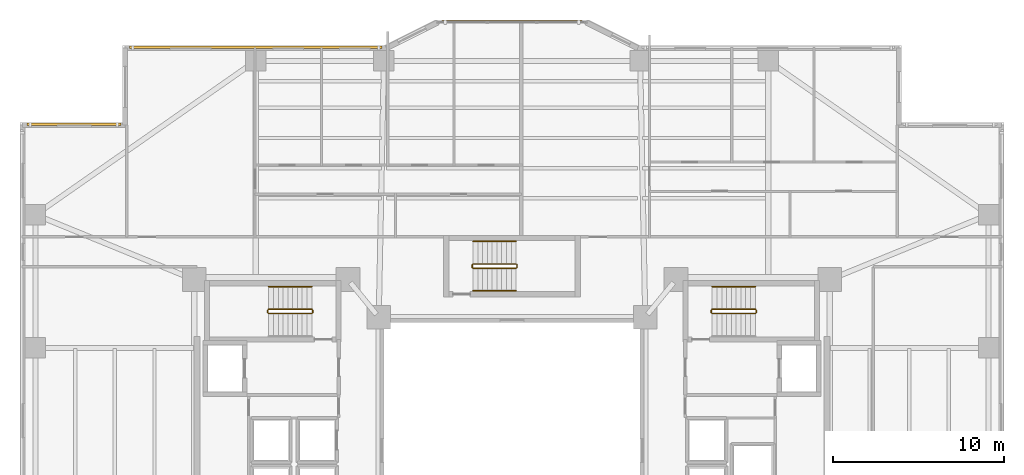
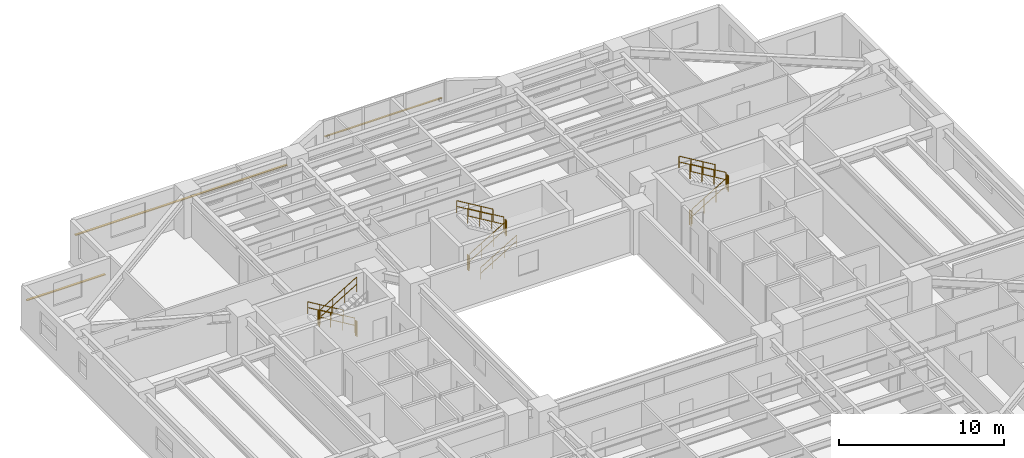
# One storey, part 19 of 20: 16 railings, 3 shading devices.
"""IFC4 building model written with IfcOpenShell, lengths in metres."""

from ifc_helpers import new_model, si_unit, direction, frame, origin, origin_2d, place, context, subcontext, project, spatial, rectangle, circle, extrude, material, material_profile, profile_set, type_object, element, save


model = new_model("IFC4")

# Units and contexts
model_context = context("Model", 3, precision=1e-05, world=origin(), true_north=direction((0.0, 1.0)))
body_context = subcontext(model_context, "Body", "Model", "MODEL_VIEW")
ifc_project = project(units=[si_unit("LENGTHUNIT", "METRE"), si_unit("AREAUNIT", "SQUARE_METRE"), si_unit("VOLUMEUNIT", "CUBIC_METRE"), si_unit("PLANEANGLEUNIT", "RADIAN"), si_unit("MASSUNIT", "GRAM", prefix="KILO")], contexts=[model_context])

# Site, building, storey
site_placement = place(None, origin())
site = spatial("IfcSite", under=ifc_project, at=site_placement, CompositionType="ELEMENT")
building_placement = place(site_placement, origin())
building = spatial("IfcBuilding", under=site, at=building_placement, Name="Tarnavaz Court Tower", CompositionType="ELEMENT")
storey_placement = place(building_placement, frame((0.0, 0.0, 34.050048828125)))
storey = spatial("IfcBuildingStorey", under=building, at=storey_placement, Name="L08", CompositionType="ELEMENT", Elevation=34.050048828125)

# Railings
ifc_material_1 = material(Name="Brushed Stainless Steel", Category="steel")
railing_type_1 = type_object("IfcRailingType", Name="RL-HANDRAIL-900", PredefinedType="HANDRAIL", material=ifc_material_1)
railing_1_placement = place(storey_placement, frame((-11.719970703125, 9.590087890625, 0.16748046875)))
element("IfcRailing", 1, at=railing_1_placement, inside=storey, type_object=railing_type_1, Name="L08 ST-W1 stair handrail 1", PredefinedType="HANDRAIL", context=body_context, shape_type="SweptSolid", body=[
    extrude(circle(Radius=0.02392578125, at=origin_2d()), frame((0.0, 0.0, 0.8759765625), z_axis=(-0.858159760407, 0.0, 0.513382728203), x_axis=(0.0, -1.0, 0.0)), (0.0, 0.0, 1.0), 2.9365234375),
    extrude(circle(Radius=0.02392578125, at=origin_2d()), frame((0.0, 0.0, 0.449951171875), z_axis=(-0.858159760407, 0.0, 0.513382728203), x_axis=(0.0, -1.0, 0.0)), (0.0, 0.0, 1.0), 2.9365234375),
    extrude(circle(Radius=0.02099609375, at=origin_2d()), origin(), (0.0, 0.0, 1.0), 0.851806640625),
    extrude(circle(Radius=0.02099609375, at=origin_2d()), frame((-0.840087890625, 0.0, 0.50244140625)), (0.0, 0.0, 1.0), 0.851806640625),
    extrude(circle(Radius=0.02099609375, at=origin_2d()), frame((-1.679931640625, 0.0, 1.005126953125)), (0.0, 0.0, 1.0), 0.851806640625),
    extrude(circle(Radius=0.02099609375, at=origin_2d()), frame((-2.52001953125, 0.0, 1.507568359375)), (0.0, 0.0, 1.0), 0.851806640625),
])
railing_2_placement = place(storey_placement, frame((14.239990234375, 9.590087890625, 1.842529296875)))
element("IfcRailing", 2, at=railing_2_placement, inside=storey, type_object=railing_type_1, Name="L08 ST-E1 stair handrail 2", PredefinedType="HANDRAIL", context=body_context, shape_type="SweptSolid", body=[
    extrude(circle(Radius=0.02392578125, at=origin_2d()), frame((0.0, 0.0, 0.8759765625), z_axis=(-0.858196387827, 0.0, 0.513321497621), x_axis=(0.0, -1.0, 0.0)), (0.0, 0.0, 1.0), 2.9365234375),
    extrude(circle(Radius=0.02392578125, at=origin_2d()), frame((0.0, 0.0, 0.449951171875), z_axis=(-0.858196387827, 0.0, 0.513321497621), x_axis=(0.0, -1.0, 0.0)), (0.0, 0.0, 1.0), 2.9365234375),
    extrude(circle(Radius=0.02099609375, at=origin_2d()), origin(), (0.0, 0.0, 1.0), 0.851806640625),
    extrude(circle(Radius=0.02099609375, at=origin_2d()), frame((-0.840087890625, 0.0, 0.50244140625)), (0.0, 0.0, 1.0), 0.851806640625),
    extrude(circle(Radius=0.02099609375, at=origin_2d()), frame((-1.679931640625, 0.0, 1.0048828125)), (0.0, 0.0, 1.0), 0.851806640625),
    extrude(circle(Radius=0.02099609375, at=origin_2d()), frame((-2.52001953125, 0.0, 1.50732421875)), (0.0, 0.0, 1.0), 0.851806640625),
])
railing_3_placement = place(storey_placement, frame((-2.280029296875, 9.35009765625, 0.16748046875)))
element("IfcRailing", 3, at=railing_3_placement, inside=storey, type_object=railing_type_1, Name="L08 ST-N1 stair handrail 1", PredefinedType="HANDRAIL", context=body_context, shape_type="SweptSolid", body=[
    extrude(circle(Radius=0.02392578125, at=origin_2d()), frame((0.0, 0.0, 0.8759765625), z_axis=(0.858159760407, 0.0, 0.513382728203), x_axis=(0.0, 1.0, 0.0)), (0.0, 0.0, 1.0), 2.9365234375),
    extrude(circle(Radius=0.02392578125, at=origin_2d()), frame((0.0, 0.0, 0.449951171875), z_axis=(0.858159760407, 0.0, 0.513382728203), x_axis=(0.0, 1.0, 0.0)), (0.0, 0.0, 1.0), 2.9365234375),
    extrude(circle(Radius=0.02099609375, at=origin_2d()), origin(), (0.0, 0.0, 1.0), 0.851806640625),
    extrude(circle(Radius=0.02099609375, at=origin_2d()), frame((0.840087890625, 0.0, 0.50244140625)), (0.0, 0.0, 1.0), 0.851806640625),
    extrude(circle(Radius=0.02099609375, at=origin_2d()), frame((1.679931640625, 0.0, 1.005126953125)), (0.0, 0.0, 1.0), 0.851806640625),
    extrude(circle(Radius=0.02099609375, at=origin_2d()), frame((2.52001953125, 0.0, 1.507568359375)), (0.0, 0.0, 1.0), 0.851806640625),
])
railing_4_placement = place(storey_placement, frame((0.239990234375, 12.239990234375, 1.842529296875)))
element("IfcRailing", 4, at=railing_4_placement, inside=storey, type_object=railing_type_1, Name="L08 ST-N1 stair handrail 2", PredefinedType="HANDRAIL", context=body_context, shape_type="SweptSolid", body=[
    extrude(circle(Radius=0.02392578125, at=origin_2d()), frame((0.0, 0.0, 0.8759765625), z_axis=(-0.858196387827, 0.0, 0.513321497621), x_axis=(0.0, -1.0, 0.0)), (0.0, 0.0, 1.0), 2.9365234375),
    extrude(circle(Radius=0.02392578125, at=origin_2d()), frame((0.0, 0.0, 0.449951171875), z_axis=(-0.858196387827, 0.0, 0.513321497621), x_axis=(0.0, -1.0, 0.0)), (0.0, 0.0, 1.0), 2.9365234375),
    extrude(circle(Radius=0.02099609375, at=origin_2d()), origin(), (0.0, 0.0, 1.0), 0.851806640625),
    extrude(circle(Radius=0.02099609375, at=origin_2d()), frame((-0.840087890625, 0.0, 0.50244140625)), (0.0, 0.0, 1.0), 0.851806640625),
    extrude(circle(Radius=0.02099609375, at=origin_2d()), frame((-1.679931640625, 0.0, 1.0048828125)), (0.0, 0.0, 1.0), 0.851806640625),
    extrude(circle(Radius=0.02099609375, at=origin_2d()), frame((-2.52001953125, 0.0, 1.50732421875)), (0.0, 0.0, 1.0), 0.851806640625),
])
ifc_material_2 = material(Name="Galvanized Painted Tubular Steel", Category="steel")
railing_type_2 = type_object("IfcRailingType", Name="RL-STGUARD-1120", PredefinedType="GUARDRAIL", material=ifc_material_2)
railing_5_placement = place(storey_placement, frame((-11.719970703125, 8.27001953125, 0.16748046875)))
element("IfcRailing", 5, at=railing_5_placement, inside=storey, type_object=railing_type_2, Name="L08 ST-W1 stair guard 1", PredefinedType="GUARDRAIL", context=body_context, shape_type="SweptSolid", body=[
    extrude(circle(Radius=0.02392578125, at=origin_2d()), frame((0.0, 0.0, 1.09619140625), z_axis=(-0.858159760407, 0.0, 0.513382728203), x_axis=(0.0, -1.0, 0.0)), (0.0, 0.0, 1.0), 2.9365234375),
    extrude(circle(Radius=0.02392578125, at=origin_2d()), frame((0.0, 0.0, 0.56005859375), z_axis=(-0.858159760407, 0.0, 0.513382728203), x_axis=(0.0, -1.0, 0.0)), (0.0, 0.0, 1.0), 2.9365234375),
    extrude(circle(Radius=0.02099609375, at=origin_2d()), origin(), (0.0, 0.0, 1.0), 1.072021484375),
    extrude(circle(Radius=0.02099609375, at=origin_2d()), frame((-0.840087890625, 0.0, 0.50244140625)), (0.0, 0.0, 1.0), 1.072021484375),
    extrude(circle(Radius=0.02099609375, at=origin_2d()), frame((-1.679931640625, 0.0, 1.005126953125)), (0.0, 0.0, 1.0), 1.072021484375),
    extrude(circle(Radius=0.02099609375, at=origin_2d()), frame((-2.52001953125, 0.0, 1.507568359375)), (0.0, 0.0, 1.0), 1.072021484375),
])
railing_6_placement = place(storey_placement, frame((-14.2900390625, 8.219970703125, 1.675048828125)))
element("IfcRailing", 6, at=railing_6_placement, inside=storey, type_object=railing_type_2, Name="L08 ST-W1 stair guard 2", PredefinedType="GUARDRAIL", context=body_context, shape_type="SweptSolid", body=[
    extrude(circle(Radius=0.02392578125, at=origin_2d()), frame((0.0, 0.0, 1.09619140625), z_axis=(0.0, -1.0, 0.0), x_axis=(1.0, 0.0, 0.0)), (0.0, 0.0, 1.0), 0.14990234375),
    extrude(circle(Radius=0.02392578125, at=origin_2d()), frame((0.0, 0.0, 0.56005859375), z_axis=(0.0, -1.0, 0.0), x_axis=(1.0, 0.0, 0.0)), (0.0, 0.0, 1.0), 0.14990234375),
    extrude(circle(Radius=0.02099609375, at=origin_2d()), origin(), (0.0, 0.0, 1.0), 1.072021484375),
    extrude(circle(Radius=0.02099609375, at=origin_2d()), frame((0.0, -0.14990234375, 0.0)), (0.0, 0.0, 1.0), 1.072021484375),
])
railing_7_placement = place(storey_placement, frame((-14.239990234375, 8.02001953125, 1.842529296875)))
element("IfcRailing", 7, at=railing_7_placement, inside=storey, type_object=railing_type_2, Name="L08 ST-W1 stair guard 3", PredefinedType="GUARDRAIL", context=body_context, shape_type="SweptSolid", body=[
    extrude(circle(Radius=0.02392578125, at=origin_2d()), frame((0.0, 0.0, 1.09619140625), z_axis=(0.858196387827, 0.0, 0.513321497621), x_axis=(0.0, 1.0, 0.0)), (0.0, 0.0, 1.0), 2.9365234375),
    extrude(circle(Radius=0.02392578125, at=origin_2d()), frame((0.0, 0.0, 0.56005859375), z_axis=(0.858196387827, 0.0, 0.513321497621), x_axis=(0.0, 1.0, 0.0)), (0.0, 0.0, 1.0), 2.9365234375),
    extrude(circle(Radius=0.02099609375, at=origin_2d()), origin(), (0.0, 0.0, 1.0), 1.072021484375),
    extrude(circle(Radius=0.02099609375, at=origin_2d()), frame((0.840087890625, 0.0, 0.50244140625)), (0.0, 0.0, 1.0), 1.072021484375),
    extrude(circle(Radius=0.02099609375, at=origin_2d()), frame((1.679931640625, 0.0, 1.0048828125)), (0.0, 0.0, 1.0), 1.072021484375),
    extrude(circle(Radius=0.02099609375, at=origin_2d()), frame((2.52001953125, 0.0, 1.50732421875)), (0.0, 0.0, 1.0), 1.072021484375),
])
railing_8_placement = place(storey_placement, frame((-11.669921875, 8.219970703125, 0.0)))
element("IfcRailing", 8, at=railing_8_placement, inside=storey, type_object=railing_type_2, Name="L08 ST-W1 stair guard 4", PredefinedType="GUARDRAIL", context=body_context, shape_type="SweptSolid", body=[
    extrude(circle(Radius=0.02392578125, at=origin_2d()), frame((0.0, 0.0, 1.09619140625), z_axis=(0.0, -1.0, 0.0), x_axis=(1.0, 0.0, 0.0)), (0.0, 0.0, 1.0), 0.14990234375),
    extrude(circle(Radius=0.02392578125, at=origin_2d()), frame((0.0, 0.0, 0.56005859375), z_axis=(0.0, -1.0, 0.0), x_axis=(1.0, 0.0, 0.0)), (0.0, 0.0, 1.0), 0.14990234375),
    extrude(circle(Radius=0.02099609375, at=origin_2d()), origin(), (0.0, 0.0, 1.0), 1.072021484375),
    extrude(circle(Radius=0.02099609375, at=origin_2d()), frame((0.0, -0.14990234375, 0.0)), (0.0, 0.0, 1.0), 1.072021484375),
])
railing_9_placement = place(storey_placement, frame((11.719970703125, 8.02001953125, 0.16748046875)))
element("IfcRailing", 9, at=railing_9_placement, inside=storey, type_object=railing_type_2, Name="L08 ST-E1 stair guard 1", PredefinedType="GUARDRAIL", context=body_context, shape_type="SweptSolid", body=[
    extrude(circle(Radius=0.02392578125, at=origin_2d()), frame((0.0, 0.0, 1.09619140625), z_axis=(0.858159760407, 0.0, 0.513382728203), x_axis=(0.0, 1.0, 0.0)), (0.0, 0.0, 1.0), 2.9365234375),
    extrude(circle(Radius=0.02392578125, at=origin_2d()), frame((0.0, 0.0, 0.56005859375), z_axis=(0.858159760407, 0.0, 0.513382728203), x_axis=(0.0, 1.0, 0.0)), (0.0, 0.0, 1.0), 2.9365234375),
    extrude(circle(Radius=0.02099609375, at=origin_2d()), origin(), (0.0, 0.0, 1.0), 1.072021484375),
    extrude(circle(Radius=0.02099609375, at=origin_2d()), frame((0.840087890625, 0.0, 0.50244140625)), (0.0, 0.0, 1.0), 1.072021484375),
    extrude(circle(Radius=0.02099609375, at=origin_2d()), frame((1.679931640625, 0.0, 1.005126953125)), (0.0, 0.0, 1.0), 1.072021484375),
    extrude(circle(Radius=0.02099609375, at=origin_2d()), frame((2.52001953125, 0.0, 1.507568359375)), (0.0, 0.0, 1.0), 1.072021484375),
])
railing_10_placement = place(storey_placement, frame((14.2900390625, 8.070068359375, 1.675048828125)))
element("IfcRailing", 10, at=railing_10_placement, inside=storey, type_object=railing_type_2, Name="L08 ST-E1 stair guard 2", PredefinedType="GUARDRAIL", context=body_context, shape_type="SweptSolid", body=[
    extrude(circle(Radius=0.02392578125, at=origin_2d()), frame((0.0, 0.0, 1.09619140625), z_axis=(0.0, 1.0, 0.0), x_axis=(-1.0, 0.0, 0.0)), (0.0, 0.0, 1.0), 0.14990234375),
    extrude(circle(Radius=0.02392578125, at=origin_2d()), frame((0.0, 0.0, 0.56005859375), z_axis=(0.0, 1.0, 0.0), x_axis=(-1.0, 0.0, 0.0)), (0.0, 0.0, 1.0), 0.14990234375),
    extrude(circle(Radius=0.02099609375, at=origin_2d()), origin(), (0.0, 0.0, 1.0), 1.072021484375),
    extrude(circle(Radius=0.02099609375, at=origin_2d()), frame((0.0, 0.14990234375, 0.0)), (0.0, 0.0, 1.0), 1.072021484375),
])
railing_11_placement = place(storey_placement, frame((14.239990234375, 8.27001953125, 1.842529296875)))
element("IfcRailing", 11, at=railing_11_placement, inside=storey, type_object=railing_type_2, Name="L08 ST-E1 stair guard 3", PredefinedType="GUARDRAIL", context=body_context, shape_type="SweptSolid", body=[
    extrude(circle(Radius=0.02392578125, at=origin_2d()), frame((0.0, 0.0, 1.09619140625), z_axis=(-0.858196387827, 0.0, 0.513321497621), x_axis=(0.0, -1.0, 0.0)), (0.0, 0.0, 1.0), 2.9365234375),
    extrude(circle(Radius=0.02392578125, at=origin_2d()), frame((0.0, 0.0, 0.56005859375), z_axis=(-0.858196387827, 0.0, 0.513321497621), x_axis=(0.0, -1.0, 0.0)), (0.0, 0.0, 1.0), 2.9365234375),
    extrude(circle(Radius=0.02099609375, at=origin_2d()), origin(), (0.0, 0.0, 1.0), 1.072021484375),
    extrude(circle(Radius=0.02099609375, at=origin_2d()), frame((-0.840087890625, 0.0, 0.50244140625)), (0.0, 0.0, 1.0), 1.072021484375),
    extrude(circle(Radius=0.02099609375, at=origin_2d()), frame((-1.679931640625, 0.0, 1.0048828125)), (0.0, 0.0, 1.0), 1.072021484375),
    extrude(circle(Radius=0.02099609375, at=origin_2d()), frame((-2.52001953125, 0.0, 1.50732421875)), (0.0, 0.0, 1.0), 1.072021484375),
])
railing_12_placement = place(storey_placement, frame((11.669921875, 8.070068359375, 0.0)))
element("IfcRailing", 12, at=railing_12_placement, inside=storey, type_object=railing_type_2, Name="L08 ST-E1 stair guard 4", PredefinedType="GUARDRAIL", context=body_context, shape_type="SweptSolid", body=[
    extrude(circle(Radius=0.02392578125, at=origin_2d()), frame((0.0, 0.0, 1.09619140625), z_axis=(0.0, 1.0, 0.0), x_axis=(-1.0, 0.0, 0.0)), (0.0, 0.0, 1.0), 0.14990234375),
    extrude(circle(Radius=0.02392578125, at=origin_2d()), frame((0.0, 0.0, 0.56005859375), z_axis=(0.0, 1.0, 0.0), x_axis=(-1.0, 0.0, 0.0)), (0.0, 0.0, 1.0), 0.14990234375),
    extrude(circle(Radius=0.02099609375, at=origin_2d()), origin(), (0.0, 0.0, 1.0), 1.072021484375),
    extrude(circle(Radius=0.02099609375, at=origin_2d()), frame((0.0, 0.14990234375, 0.0)), (0.0, 0.0, 1.0), 1.072021484375),
])
railing_13_placement = place(storey_placement, frame((-2.280029296875, 10.669921875, 0.16748046875)))
element("IfcRailing", 13, at=railing_13_placement, inside=storey, type_object=railing_type_2, Name="L08 ST-N1 stair guard 1", PredefinedType="GUARDRAIL", context=body_context, shape_type="SweptSolid", body=[
    extrude(circle(Radius=0.02392578125, at=origin_2d()), frame((0.0, 0.0, 1.09619140625), z_axis=(0.858159760407, 0.0, 0.513382728203), x_axis=(0.0, 1.0, 0.0)), (0.0, 0.0, 1.0), 2.9365234375),
    extrude(circle(Radius=0.02392578125, at=origin_2d()), frame((0.0, 0.0, 0.56005859375), z_axis=(0.858159760407, 0.0, 0.513382728203), x_axis=(0.0, 1.0, 0.0)), (0.0, 0.0, 1.0), 2.9365234375),
    extrude(circle(Radius=0.02099609375, at=origin_2d()), origin(), (0.0, 0.0, 1.0), 1.072021484375),
    extrude(circle(Radius=0.02099609375, at=origin_2d()), frame((0.840087890625, 0.0, 0.50244140625)), (0.0, 0.0, 1.0), 1.072021484375),
    extrude(circle(Radius=0.02099609375, at=origin_2d()), frame((1.679931640625, 0.0, 1.005126953125)), (0.0, 0.0, 1.0), 1.072021484375),
    extrude(circle(Radius=0.02099609375, at=origin_2d()), frame((2.52001953125, 0.0, 1.507568359375)), (0.0, 0.0, 1.0), 1.072021484375),
])
railing_14_placement = place(storey_placement, frame((0.2900390625, 10.719970703125, 1.675048828125)))
element("IfcRailing", 14, at=railing_14_placement, inside=storey, type_object=railing_type_2, Name="L08 ST-N1 stair guard 2", PredefinedType="GUARDRAIL", context=body_context, shape_type="SweptSolid", body=[
    extrude(circle(Radius=0.02392578125, at=origin_2d()), frame((0.0, 0.0, 1.09619140625), z_axis=(0.0, 1.0, 0.0), x_axis=(-1.0, 0.0, 0.0)), (0.0, 0.0, 1.0), 0.150146484375),
    extrude(circle(Radius=0.02392578125, at=origin_2d()), frame((0.0, 0.0, 0.56005859375), z_axis=(0.0, 1.0, 0.0), x_axis=(-1.0, 0.0, 0.0)), (0.0, 0.0, 1.0), 0.150146484375),
    extrude(circle(Radius=0.02099609375, at=origin_2d()), origin(), (0.0, 0.0, 1.0), 1.072021484375),
    extrude(circle(Radius=0.02099609375, at=origin_2d()), frame((0.0, 0.150146484375, 0.0)), (0.0, 0.0, 1.0), 1.072021484375),
])
railing_15_placement = place(storey_placement, frame((0.239990234375, 10.919921875, 1.842529296875)))
element("IfcRailing", 15, at=railing_15_placement, inside=storey, type_object=railing_type_2, Name="L08 ST-N1 stair guard 3", PredefinedType="GUARDRAIL", context=body_context, shape_type="SweptSolid", body=[
    extrude(circle(Radius=0.02392578125, at=origin_2d()), frame((0.0, 0.0, 1.09619140625), z_axis=(-0.858196387827, 0.0, 0.513321497621), x_axis=(0.0, -1.0, 0.0)), (0.0, 0.0, 1.0), 2.9365234375),
    extrude(circle(Radius=0.02392578125, at=origin_2d()), frame((0.0, 0.0, 0.56005859375), z_axis=(-0.858196387827, 0.0, 0.513321497621), x_axis=(0.0, -1.0, 0.0)), (0.0, 0.0, 1.0), 2.9365234375),
    extrude(circle(Radius=0.02099609375, at=origin_2d()), origin(), (0.0, 0.0, 1.0), 1.072021484375),
    extrude(circle(Radius=0.02099609375, at=origin_2d()), frame((-0.840087890625, 0.0, 0.50244140625)), (0.0, 0.0, 1.0), 1.072021484375),
    extrude(circle(Radius=0.02099609375, at=origin_2d()), frame((-1.679931640625, 0.0, 1.0048828125)), (0.0, 0.0, 1.0), 1.072021484375),
    extrude(circle(Radius=0.02099609375, at=origin_2d()), frame((-2.52001953125, 0.0, 1.50732421875)), (0.0, 0.0, 1.0), 1.072021484375),
])
railing_16_placement = place(storey_placement, frame((-2.330078125, 10.719970703125, 0.0)))
element("IfcRailing", 16, at=railing_16_placement, inside=storey, type_object=railing_type_2, Name="L08 ST-N1 stair guard 4", PredefinedType="GUARDRAIL", context=body_context, shape_type="SweptSolid", body=[
    extrude(circle(Radius=0.02392578125, at=origin_2d()), frame((0.0, 0.0, 1.09619140625), z_axis=(0.0, 1.0, 0.0), x_axis=(-1.0, 0.0, 0.0)), (0.0, 0.0, 1.0), 0.150146484375),
    extrude(circle(Radius=0.02392578125, at=origin_2d()), frame((0.0, 0.0, 0.56005859375), z_axis=(0.0, 1.0, 0.0), x_axis=(-1.0, 0.0, 0.0)), (0.0, 0.0, 1.0), 0.150146484375),
    extrude(circle(Radius=0.02099609375, at=origin_2d()), origin(), (0.0, 0.0, 1.0), 1.072021484375),
    extrude(circle(Radius=0.02099609375, at=origin_2d()), frame((0.0, 0.150146484375, 0.0)), (0.0, 0.0, 1.0), 1.072021484375),
])

# Shading devices
ifc_material_3 = material(Name="Kiln-Fired Khorasan Terracotta Ceramic", Category="masonry")
ifc_material_profile_1 = material_profile(ifc_material_3, rectangle(XDim=0.1201171875, YDim=0.06005859375, at=origin_2d()), Name="TC BAGUETTE 120X60")
ifc_profile_set_1 = profile_set([ifc_material_profile_1], Name="Kiln-Fired Khorasan Terracotta Ceramic")
shading_device_type_1 = type_object("IfcShadingDeviceType", Name="SD-BAG-120", PredefinedType="USERDEFINED", material=ifc_profile_set_1)
shading_device_1_placement = place(storey_placement, frame((-4.10009765625, 25.110107421875, 1.800048828125), z_axis=(1.0, 0.0, 0.0), x_axis=(0.0, 1.0, 0.0)))
element("IfcShadingDevice", 17, at=shading_device_1_placement, inside=storey, type_object=shading_device_type_1, Name="L08 Terracotta Baguette Screen PBG7", ObjectType="BAGUETTE", PredefinedType="USERDEFINED", context=body_context, shape_type="SweptSolid", body=[
    extrude(rectangle(XDim=0.1201171875, YDim=0.06005859375, at=origin_2d()), origin(), (0.0, 0.0, 1.0), 8.2001953125),
])
ifc_material_profile_2 = material_profile(ifc_material_3, rectangle(XDim=0.14990234375, YDim=0.06494140625, at=origin_2d()), Name="TC BAGUETTE 150X65")
ifc_profile_set_2 = profile_set([ifc_material_profile_2], Name="Kiln-Fired Khorasan Terracotta Ceramic")
shading_device_type_2 = type_object("IfcShadingDeviceType", Name="SD-BAG-150", PredefinedType="USERDEFINED", material=ifc_profile_set_2)
shading_device_2_placement = place(storey_placement, frame((-28.39990234375, 19.110107421875, 1.849853515625), z_axis=(1.0, 0.0, 0.0), x_axis=(0.0, 1.0, 0.0)))
element("IfcShadingDevice", 18, at=shading_device_2_placement, inside=storey, type_object=shading_device_type_2, Name="L08 Terracotta Baguette Screen FBG03", ObjectType="BAGUETTE", PredefinedType="USERDEFINED", context=body_context, shape_type="SweptSolid", body=[
    extrude(rectangle(XDim=0.14990234375, YDim=0.06494140625, at=origin_2d()), origin(), (0.0, 0.0, 1.0), 5.5),
])
shading_device_3_placement = place(storey_placement, frame((-22.39990234375, 23.610107421875, 1.849853515625), z_axis=(1.0, 0.0, 0.0), x_axis=(0.0, 1.0, 0.0)))
element("IfcShadingDevice", 19, at=shading_device_3_placement, inside=storey, type_object=shading_device_type_2, Name="L08 Terracotta Baguette Screen FBG05", ObjectType="BAGUETTE", PredefinedType="USERDEFINED", context=body_context, shape_type="SweptSolid", body=[
    extrude(rectangle(XDim=0.14990234375, YDim=0.06494140625, at=origin_2d()), origin(), (0.0, 0.0, 1.0), 14.7998046875),
])

save(model, "model.ifc")
